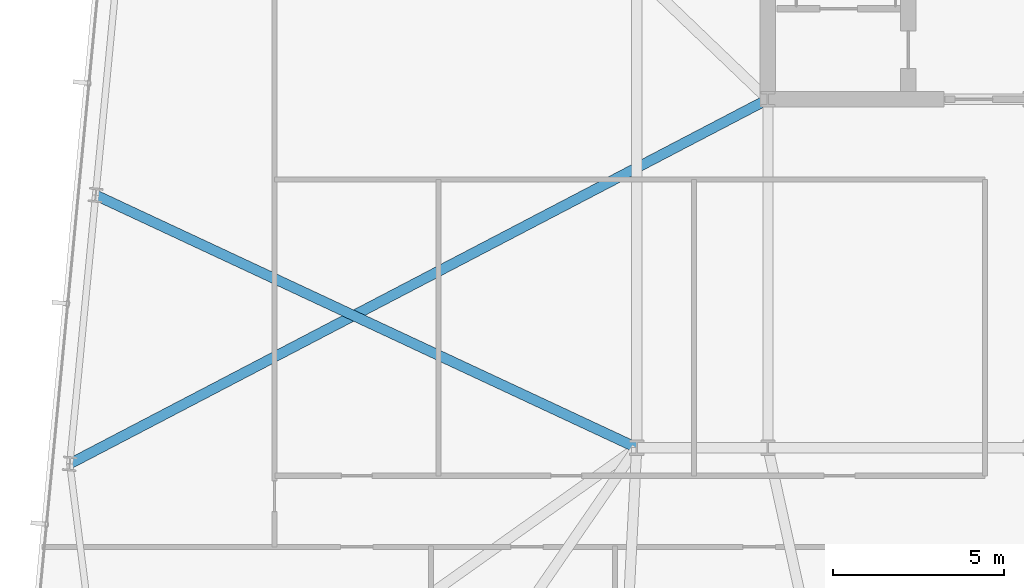
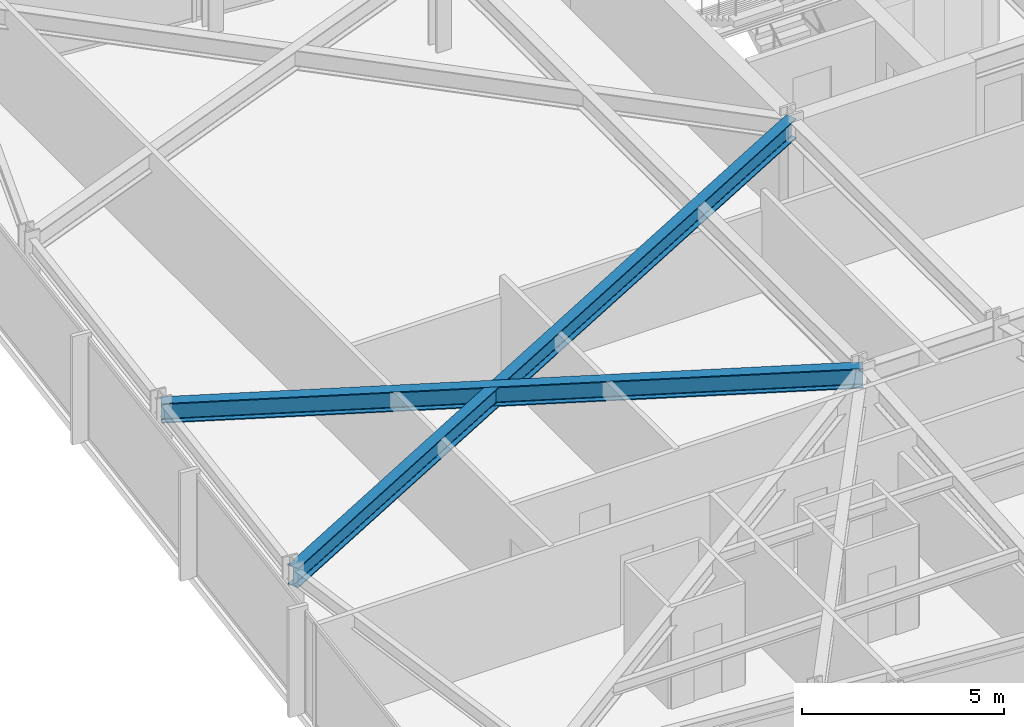
# One storey, part 9 of 37: 2 beams.
"""IFC4 building model written with IfcOpenShell, lengths in metres."""

from ifc_helpers import new_model, si_unit, direction, frame, origin, origin_2d, place, context, subcontext, project, spatial, i_section, extrude, material, material_profile, profile_set, type_object, element, save


model = new_model("IFC4")

# Units and contexts
model_context = context("Model", 3, precision=1e-05, world=origin(), true_north=direction((0.0, 1.0)))
body_context = subcontext(model_context, "Body", "Model", "MODEL_VIEW")
ifc_project = project(units=[si_unit("LENGTHUNIT", "METRE"), si_unit("AREAUNIT", "SQUARE_METRE"), si_unit("VOLUMEUNIT", "CUBIC_METRE"), si_unit("PLANEANGLEUNIT", "RADIAN"), si_unit("MASSUNIT", "GRAM", prefix="KILO")], contexts=[model_context])

# Site, building, storey
site_placement = place(None, origin())
site = spatial("IfcSite", under=ifc_project, at=site_placement, CompositionType="ELEMENT")
building_placement = place(site_placement, origin())
building = spatial("IfcBuilding", under=site, at=building_placement, Name="Yelkora Congress Tower", CompositionType="ELEMENT")
storey_placement = place(building_placement, frame((0.0, 0.0, 165.5)))
storey = spatial("IfcBuildingStorey", under=building, at=storey_placement, Name="L45", CompositionType="ELEMENT", Elevation=165.5)

# Beams
ifc_material = material(Name="Steel S355J2", Category="steel")
ifc_material_profile = material_profile(ifc_material, i_section(OverallWidth=0.300048828125, OverallDepth=0.60009765625, WebThickness=0.015380859375, FlangeThickness=0.030029296875, FilletRadius=0.027099609375, at=origin_2d()), Name="HEB 600")
ifc_profile_set = profile_set([ifc_material_profile], Name="Steel S355J2")
beam_type = type_object("IfcBeamType", Name="BM-GIRD-HEB600", PredefinedType="BEAM", material=ifc_profile_set)
beam_1_placement = place(storey_placement, frame((2.607421875, 24.730712890625, 2.780029296875), z_axis=(0.886430124978, 0.462862434781, 0.0), x_axis=(-0.462862434781, 0.886430124978, 0.0)))
element("IfcBeam", 1, at=beam_1_placement, inside=storey, type_object=beam_type, Name="L45 Primary Frame Girder W01", PredefinedType="BEAM", context=body_context, shape_type="SweptSolid", body=[
    extrude(i_section(OverallWidth=0.300048828125, OverallDepth=0.60009765625, WebThickness=0.015380859375, FlangeThickness=0.030029296875, FilletRadius=0.027099609375, at=origin_2d()), origin(), (0.0, 0.0, 1.0), 23.050537109375),
])
beam_2_placement = place(storey_placement, frame((3.364501953125, 32.594482421875, 2.780029296875), z_axis=(0.906081045456, -0.423104170466, 0.0), x_axis=(0.423104170466, 0.906081045456, 0.0)))
element("IfcBeam", 2, at=beam_2_placement, inside=storey, type_object=beam_type, Name="L45 Primary Frame Girder W02", PredefinedType="BEAM", context=body_context, shape_type="SweptSolid", body=[
    extrude(i_section(OverallWidth=0.300048828125, OverallDepth=0.60009765625, WebThickness=0.015380859375, FlangeThickness=0.030029296875, FilletRadius=0.027099609375, at=origin_2d()), origin(), (0.0, 0.0, 1.0), 17.476806640625),
])

save(model, "model.ifc")
